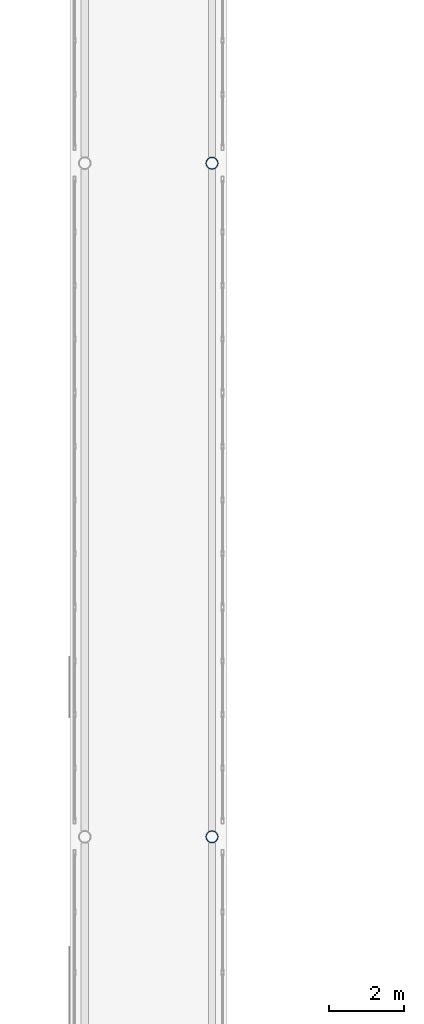
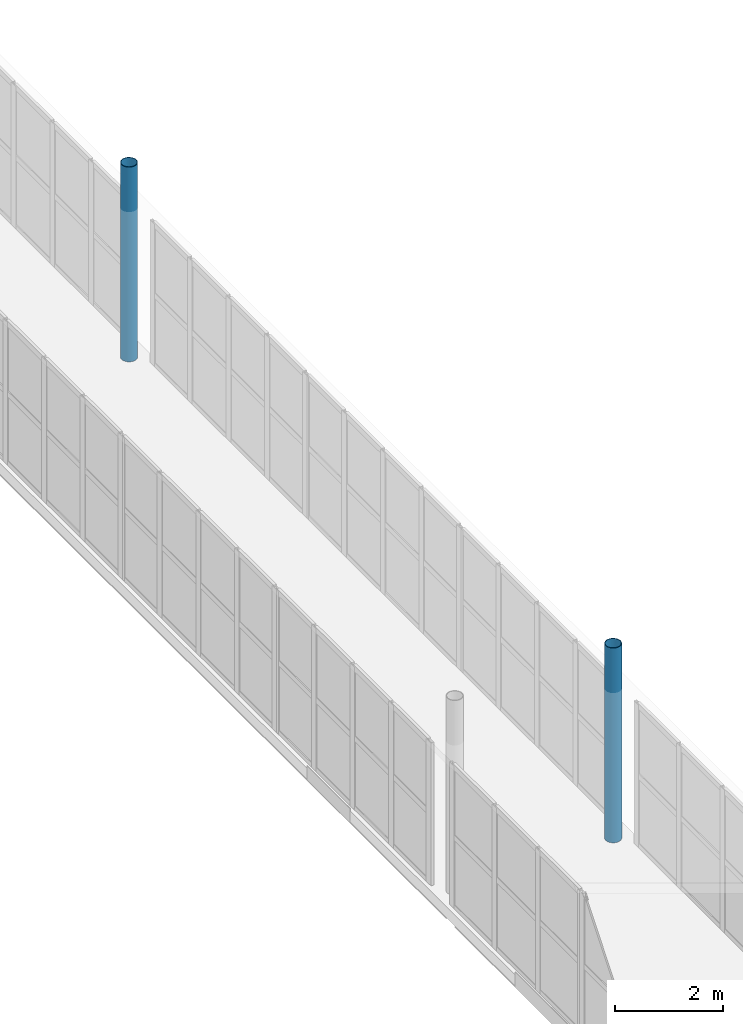
# One storey, part 8 of 142: 2 columns.
"""IFC4 building model written with IfcOpenShell, lengths in metres."""

from ifc_helpers import new_model, si_unit, direction, frame, origin, origin_2d, place, context, subcontext, project, spatial, hollow_circle, extrude, material, material_profile, profile_set, type_object, element, save


model = new_model("IFC4")

# Units and contexts
model_context = context("Model", 3, precision=1e-05, world=origin(), true_north=direction((0.0, 1.0)))
body_context = subcontext(model_context, "Body", "Model", "MODEL_VIEW")
ifc_project = project(units=[si_unit("LENGTHUNIT", "METRE"), si_unit("AREAUNIT", "SQUARE_METRE"), si_unit("VOLUMEUNIT", "CUBIC_METRE"), si_unit("PLANEANGLEUNIT", "RADIAN"), si_unit("MASSUNIT", "GRAM", prefix="KILO")], contexts=[model_context])

# Site, building, storey
site_placement = place(None, origin())
site = spatial("IfcSite", under=ifc_project, at=site_placement, CompositionType="ELEMENT")
building_placement = place(site_placement, origin())
building = spatial("IfcBuilding", under=site, at=building_placement, Name="Valcora Specialist Clinic", CompositionType="ELEMENT")
storey_placement = place(building_placement, frame((0.0, 0.0, 5.10009765625)))
storey = spatial("IfcBuildingStorey", under=building, at=storey_placement, Name="L01", CompositionType="ELEMENT", Elevation=5.10009765625)

# Columns
ifc_material = material(Name="Steel ASTM A500 Grade C", Category="steel")
ifc_material_profile = material_profile(ifc_material, hollow_circle(Radius=0.162109375, WallThickness=0.011962890625, at=origin_2d()), Name="ST-CHS-324X12")
ifc_profile_set = profile_set([ifc_material_profile], Name="Steel ASTM A500 Grade C")
column_type = type_object("IfcColumnType", Name="TY-COL-CHS324", PredefinedType="COLUMN", material=ifc_profile_set)
for number, where, z_axis, x_axis, name in (
    (1, (65.0, 38.0, 0.0), (0.0, 0.0, 1.0), (1.0, 0.0, 0.0), "Column COL-L01-0991"),
    (2, (65.0, 56.0, 0.0), (0.0, 0.0, 1.0), (1.0, 0.0, 0.0), "Column COL-L01-0997"),
):
    element("IfcColumn", number, at=place(storey_placement, frame(where, z_axis=z_axis, x_axis=x_axis)), inside=storey, type_object=column_type, Name=name, PredefinedType="COLUMN", context=body_context, shape_type="SweptSolid", body=[
        extrude(hollow_circle(Radius=0.162109375, WallThickness=0.011962890625, at=origin_2d()), origin(), (0.0, 0.0, 1.0), 4.419921875),
    ])

save(model, "model.ifc")
